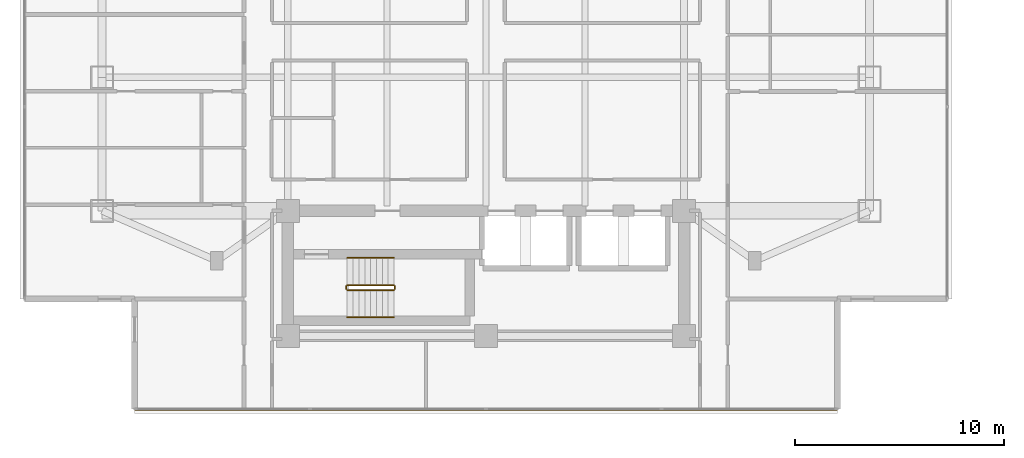
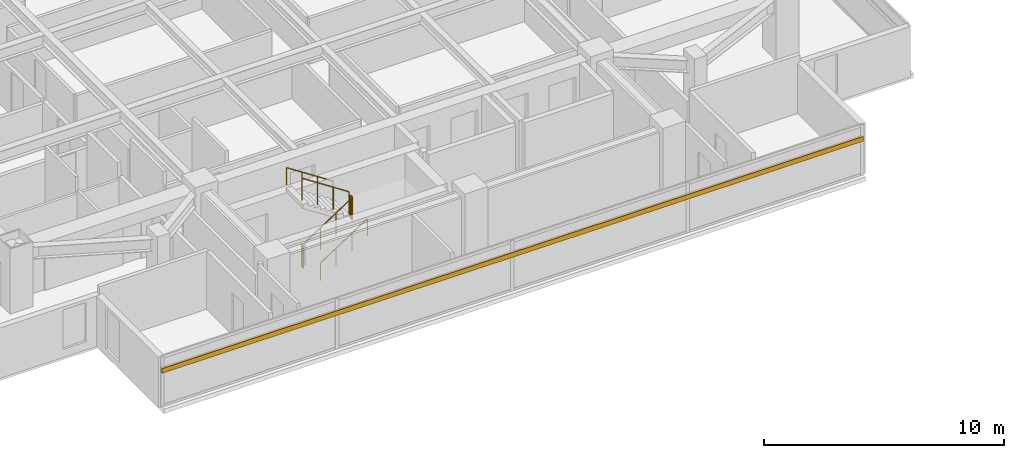
# One storey, part 20 of 24: 6 railings, 1 shading device.
"""IFC4 building model written with IfcOpenShell, lengths in metres."""

from ifc_helpers import new_model, si_unit, direction, frame, origin, origin_2d, place, context, subcontext, project, spatial, rectangle, circle, extrude, material, material_profile, profile_set, type_object, element, save


model = new_model("IFC4")

# Units and contexts
model_context = context("Model", 3, precision=1e-05, world=origin(), true_north=direction((0.0, 1.0)))
body_context = subcontext(model_context, "Body", "Model", "MODEL_VIEW")
ifc_project = project(units=[si_unit("LENGTHUNIT", "METRE"), si_unit("AREAUNIT", "SQUARE_METRE"), si_unit("VOLUMEUNIT", "CUBIC_METRE"), si_unit("PLANEANGLEUNIT", "RADIAN"), si_unit("MASSUNIT", "GRAM", prefix="KILO")], contexts=[model_context])

# Site, building, storey
site_placement = place(None, origin())
site = spatial("IfcSite", under=ifc_project, at=site_placement, CompositionType="ELEMENT")
building_placement = place(site_placement, origin())
building = spatial("IfcBuilding", under=site, at=building_placement, Name="Mirazonda Arch Towers", CompositionType="ELEMENT")
storey_placement = place(building_placement, frame((0.0, 0.0, 144.5)))
storey = spatial("IfcBuildingStorey", under=building, at=storey_placement, Name="L41", CompositionType="ELEMENT", Elevation=144.5)

# Shading device
ifc_material_1 = material(Name="Kiln-Fired Architectural Terracotta", Category="masonry")
ifc_material_profile = material_profile(ifc_material_1, rectangle(XDim=0.1201171875, YDim=0.239990234375, at=origin_2d()), Name="TERRA-BAG-120x240")
ifc_profile_set = profile_set([ifc_material_profile], Name="Kiln-Fired Architectural Terracotta")
shading_device_type = type_object("IfcShadingDeviceType", Name="BAGUETTE-1", PredefinedType="USERDEFINED", material=ifc_profile_set)
shading_device_placement = place(storey_placement, frame((37.35009765625, 8.89599609375, 1.84326171875), z_axis=(-1.0, 0.0, 0.0), x_axis=(0.0, -1.0, 0.0)))
element("IfcShadingDevice", 1, at=shading_device_placement, inside=storey, type_object=shading_device_type, Name="L41 Glazed Terracotta Sun-Screen Baguette CW-L41-T1-S", ObjectType="BAGUETTE", PredefinedType="USERDEFINED", context=body_context, shape_type="SweptSolid", body=[
    extrude(rectangle(XDim=0.1201171875, YDim=0.239990234375, at=origin_2d()), origin(), (0.0, 0.0, 1.0), 33.7001953125),
])

# Railings
ifc_material_2 = material(Name="Architectural Brushed Steel S355", Category="steel")
railing_type_1 = type_object("IfcRailingType", Name="GUARD-STAIR-1120", PredefinedType="GUARDRAIL", material=ifc_material_2)
railing_1_placement = place(storey_placement, frame((13.85009765625, 14.60009765625, 0.183349609375)))
element("IfcRailing", 2, at=railing_1_placement, inside=storey, type_object=railing_type_1, Name="L41 ST-T1S stair guard 1", PredefinedType="GUARDRAIL", context=body_context, shape_type="SweptSolid", body=[
    extrude(circle(Radius=0.02392578125, at=origin_2d()), frame((0.0, 0.0, 1.1259765625), z_axis=(0.836636935527, 0.0, 0.547757827979), x_axis=(0.0, 1.0, 0.0)), (0.0, 0.0, 1.0), 2.677490234375),
    extrude(circle(Radius=0.02099609375, at=origin_2d()), origin(), (0.0, 0.0, 1.0), 1.101806640625),
    extrude(circle(Radius=0.02099609375, at=origin_2d()), frame((0.74658203125, 0.0, 0.48876953125)), (0.0, 0.0, 1.0), 1.101806640625),
    extrude(circle(Radius=0.02099609375, at=origin_2d()), frame((1.493408203125, 0.0, 0.977783203125)), (0.0, 0.0, 1.0), 1.101806640625),
    extrude(circle(Radius=0.02099609375, at=origin_2d()), frame((2.239990234375, 0.0, 1.466552734375)), (0.0, 0.0, 1.0), 1.101806640625),
])
railing_2_placement = place(storey_placement, frame((16.139892578125, 14.64990234375, 1.64990234375)))
element("IfcRailing", 3, at=railing_2_placement, inside=storey, type_object=railing_type_1, Name="L41 ST-T1S stair guard 2", PredefinedType="GUARDRAIL", context=body_context, shape_type="SweptSolid", body=[
    extrude(circle(Radius=0.02392578125, at=origin_2d()), frame((0.0, 0.0, 1.1259765625), z_axis=(0.0, 1.0, 0.0), x_axis=(-1.0, 0.0, 0.0)), (0.0, 0.0, 1.0), 0.14013671875),
    extrude(circle(Radius=0.02099609375, at=origin_2d()), origin(), (0.0, 0.0, 1.0), 1.101806640625),
    extrude(circle(Radius=0.02099609375, at=origin_2d()), frame((0.0, 0.14013671875, 0.0)), (0.0, 0.0, 1.0), 1.101806640625),
])
railing_3_placement = place(storey_placement, frame((16.090087890625, 14.840087890625, 1.833251953125)))
element("IfcRailing", 4, at=railing_3_placement, inside=storey, type_object=railing_type_1, Name="L41 ST-T1S stair guard 3", PredefinedType="GUARDRAIL", context=body_context, shape_type="SweptSolid", body=[
    extrude(circle(Radius=0.02392578125, at=origin_2d()), frame((0.0, 0.0, 1.1259765625), z_axis=(-0.836595146698, 0.0, 0.547821650285), x_axis=(0.0, -1.0, 0.0)), (0.0, 0.0, 1.0), 2.677490234375),
    extrude(circle(Radius=0.02099609375, at=origin_2d()), origin(), (0.0, 0.0, 1.0), 1.101806640625),
    extrude(circle(Radius=0.02099609375, at=origin_2d()), frame((-0.74658203125, 0.0, 0.489013671875)), (0.0, 0.0, 1.0), 1.101806640625),
    extrude(circle(Radius=0.02099609375, at=origin_2d()), frame((-1.493408203125, 0.0, 0.977783203125)), (0.0, 0.0, 1.0), 1.101806640625),
    extrude(circle(Radius=0.02099609375, at=origin_2d()), frame((-2.239990234375, 0.0, 1.466796875)), (0.0, 0.0, 1.0), 1.101806640625),
])
railing_4_placement = place(storey_placement, frame((13.800048828125, 14.64990234375, 0.0)))
element("IfcRailing", 5, at=railing_4_placement, inside=storey, type_object=railing_type_1, Name="L41 ST-T1S stair guard 4", PredefinedType="GUARDRAIL", context=body_context, shape_type="SweptSolid", body=[
    extrude(circle(Radius=0.02392578125, at=origin_2d()), frame((0.0, 0.0, 1.1259765625), z_axis=(0.0, 1.0, 0.0), x_axis=(-1.0, 0.0, 0.0)), (0.0, 0.0, 1.0), 0.14013671875),
    extrude(circle(Radius=0.02099609375, at=origin_2d()), origin(), (0.0, 0.0, 1.0), 1.101806640625),
    extrude(circle(Radius=0.02099609375, at=origin_2d()), frame((0.0, 0.14013671875, 0.0)), (0.0, 0.0, 1.0), 1.101806640625),
])
railing_type_2 = type_object("IfcRailingType", Name="HANDRAIL-915", PredefinedType="HANDRAIL", material=ifc_material_2)
railing_5_placement = place(storey_placement, frame((13.85009765625, 13.300048828125, 0.183349609375)))
element("IfcRailing", 6, at=railing_5_placement, inside=storey, type_object=railing_type_2, Name="L41 ST-T1S stair handrail 1", PredefinedType="HANDRAIL", context=body_context, shape_type="SweptSolid", body=[
    extrude(circle(Radius=0.02392578125, at=origin_2d()), frame((0.0, 0.0, 0.8759765625), z_axis=(0.836636935527, 0.0, 0.547757827979), x_axis=(0.0, 1.0, 0.0)), (0.0, 0.0, 1.0), 2.677490234375),
    extrude(circle(Radius=0.02099609375, at=origin_2d()), origin(), (0.0, 0.0, 1.0), 0.851806640625),
    extrude(circle(Radius=0.02099609375, at=origin_2d()), frame((0.74658203125, 0.0, 0.48876953125)), (0.0, 0.0, 1.0), 0.851806640625),
    extrude(circle(Radius=0.02099609375, at=origin_2d()), frame((1.493408203125, 0.0, 0.977783203125)), (0.0, 0.0, 1.0), 0.851806640625),
    extrude(circle(Radius=0.02099609375, at=origin_2d()), frame((2.239990234375, 0.0, 1.466552734375)), (0.0, 0.0, 1.0), 0.851806640625),
])
railing_6_placement = place(storey_placement, frame((16.090087890625, 16.139892578125, 1.833251953125)))
element("IfcRailing", 7, at=railing_6_placement, inside=storey, type_object=railing_type_2, Name="L41 ST-T1S stair handrail 2", PredefinedType="HANDRAIL", context=body_context, shape_type="SweptSolid", body=[
    extrude(circle(Radius=0.02392578125, at=origin_2d()), frame((0.0, 0.0, 0.8759765625), z_axis=(-0.836595146698, 0.0, 0.547821650285), x_axis=(0.0, -1.0, 0.0)), (0.0, 0.0, 1.0), 2.677490234375),
    extrude(circle(Radius=0.02099609375, at=origin_2d()), origin(), (0.0, 0.0, 1.0), 0.851806640625),
    extrude(circle(Radius=0.02099609375, at=origin_2d()), frame((-0.74658203125, 0.0, 0.489013671875)), (0.0, 0.0, 1.0), 0.851806640625),
    extrude(circle(Radius=0.02099609375, at=origin_2d()), frame((-1.493408203125, 0.0, 0.977783203125)), (0.0, 0.0, 1.0), 0.851806640625),
    extrude(circle(Radius=0.02099609375, at=origin_2d()), frame((-2.239990234375, 0.0, 1.466796875)), (0.0, 0.0, 1.0), 0.851806640625),
])

save(model, "model.ifc")
